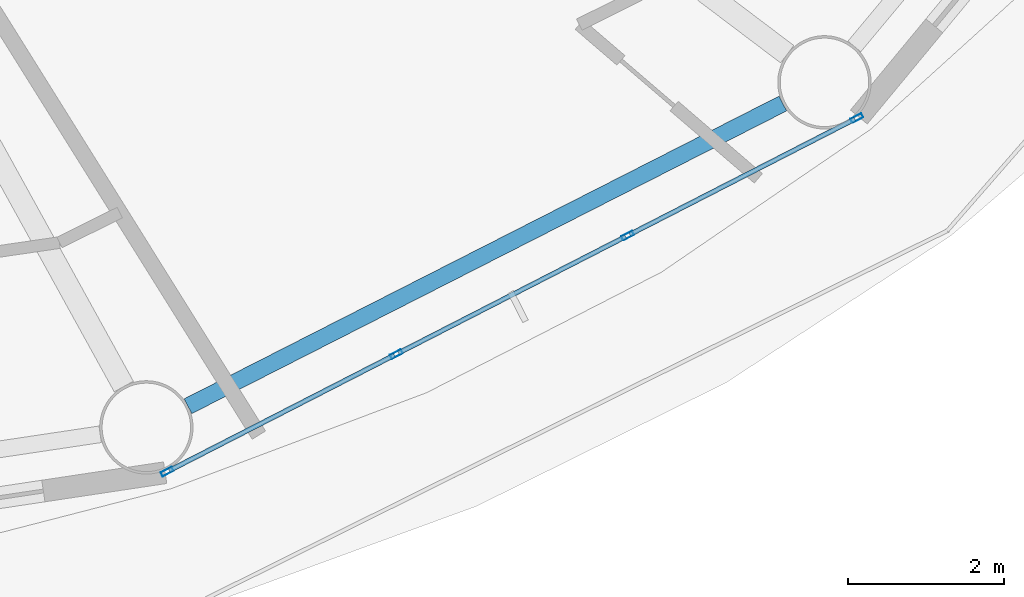
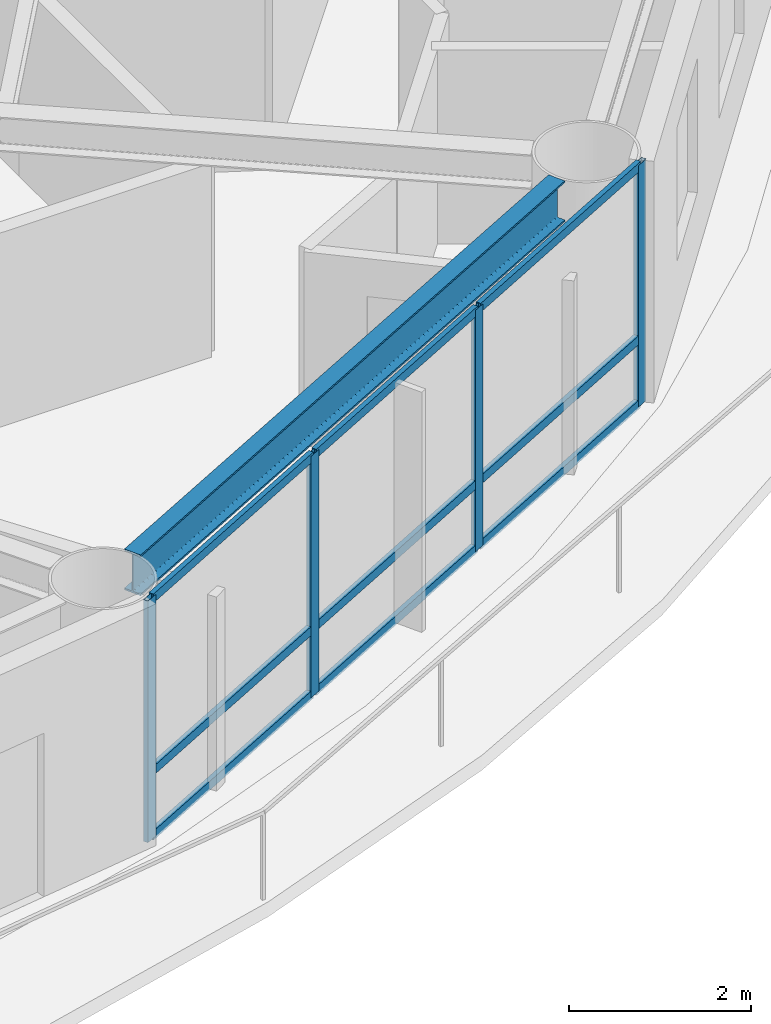
# One storey, part 5 of 28: 13 members, 1 beam, 1 element without a shape of its own.
"""IFC4 building model written with IfcOpenShell, lengths in metres."""

from ifc_helpers import new_model, si_unit, direction, frame, origin, origin_2d, place, context, subcontext, project, spatial, hollow_rectangle, i_section, extrude, material, layer, layer_set, material_profile, profile_set, type_object, element, aggregate, save


model = new_model("IFC4")

# Units and contexts
model_context = context("Model", 3, precision=1e-05, world=origin(), true_north=direction((0.0, 1.0)))
body_context = subcontext(model_context, "Body", "Model", "MODEL_VIEW")
ifc_project = project(units=[si_unit("LENGTHUNIT", "METRE"), si_unit("AREAUNIT", "SQUARE_METRE"), si_unit("VOLUMEUNIT", "CUBIC_METRE"), si_unit("PLANEANGLEUNIT", "RADIAN"), si_unit("MASSUNIT", "GRAM", prefix="KILO")], contexts=[model_context])

# Site, building, storey
site_placement = place(None, origin())
site = spatial("IfcSite", under=ifc_project, at=site_placement, CompositionType="ELEMENT")
building_placement = place(site_placement, origin())
building = spatial("IfcBuilding", under=site, at=building_placement, Name="Sarneth Arch Tower", CompositionType="ELEMENT")
storey_placement = place(building_placement, frame((0.0, 0.0, 197.39990234375)))
storey = spatial("IfcBuildingStorey", under=building, at=storey_placement, Name="L50", CompositionType="ELEMENT", Elevation=197.39990234375)

# Beam
ifc_material_1 = material(Name="Steel S355", Category="steel")
ifc_material_profile_1 = material_profile(ifc_material_1, i_section(OverallWidth=0.214111328125, OverallDepth=0.549072265625, WebThickness=0.0146484375, FlangeThickness=0.023681640625, FilletRadius=0.01806640625, at=origin_2d()), Name="W530x138")
ifc_profile_set_1 = profile_set([ifc_material_profile_1], Name="Steel S355")
beam_type = type_object("IfcBeamType", Name="BM-RAD-530A", PredefinedType="BEAM", material=ifc_profile_set_1)
beam_placement = place(storey_placement, frame((58.95654296875, 23.378662109375, 2.9755859375), z_axis=(0.891250372735, 0.453511601945, 0.0), x_axis=(-0.453511601945, 0.891250372735, 0.0)))
element("IfcBeam", 1, at=beam_placement, inside=storey, type_object=beam_type, Name="L50 Perimeter spandrel beam 14", PredefinedType="BEAM", context=body_context, shape_type="SweptSolid", body=[
    extrude(i_section(OverallWidth=0.214111328125, OverallDepth=0.549072265625, WebThickness=0.0146484375, FlangeThickness=0.023681640625, FilletRadius=0.01806640625, at=origin_2d()), origin(), (0.0, 0.0, 1.0), 8.5751953125),
])

# Curtain wall, members
ifc_material_2 = material(Name="Anodised aluminium Type AA25 and solar-control low-e laminated IGU", Category="aluminium")
ifc_layer = layer(ifc_material_2, 0.169921875)
ifc_layer_set = layer_set([ifc_layer], Name="Anodised aluminium Type AA25 and solar-control low-e laminated IGU")
curtain_wall_type = type_object("IfcCurtainWallType", Name="CW-RES-MID", PredefinedType="NOTDEFINED", material=ifc_layer_set)
curtain_wall_placement = place(storey_placement, origin())
curtain_wall = element("IfcCurtainWall", 2, at=curtain_wall_placement, inside=storey, type_object=curtain_wall_type, Name="L50 Unitised curtain wall facet 14", PredefinedType="NOTDEFINED")
ifc_material_3 = material(Name="Anodised Aluminium 6063-T6", Category="aluminium")
ifc_material_profile_2 = material_profile(ifc_material_3, hollow_rectangle(XDim=0.06005859375, YDim=0.159912109375, WallThickness=0.00390625, at=origin_2d()), Name="AL-MULL-160x60x4")
ifc_profile_set_2 = profile_set([ifc_material_profile_2], Name="Anodised Aluminium 6063-T6")
member_type_1 = type_object("IfcMemberType", Name="CW-MULLION", PredefinedType="MULLION", material=ifc_profile_set_2)
member_1_placement = place(storey_placement, frame((58.689453125, 22.538330078125, 0.0), z_axis=(0.0, 0.0, 1.0), x_axis=(-0.456208470329, 0.88987293003, 0.0)))
member_1 = element("IfcMember", 3, at=member_1_placement, type_object=member_type_1, Name="CW-SYS-5 mullion 1", PredefinedType="MULLION", context=body_context, shape_type="SweptSolid", body=[
    extrude(hollow_rectangle(XDim=0.06005859375, YDim=0.159912109375, WallThickness=0.00390625, at=origin_2d()), origin(), (0.0, 0.0, 1.0), 3.25),
])
member_2_placement = place(storey_placement, frame((61.634033203125, 24.0478515625, 0.0), z_axis=(0.0, 0.0, 1.0), x_axis=(-0.456208470329, 0.88987293003, 0.0)))
member_2 = element("IfcMember", 4, at=member_2_placement, type_object=member_type_1, Name="CW-SYS-5 mullion 2", PredefinedType="MULLION", context=body_context, shape_type="SweptSolid", body=[
    extrude(hollow_rectangle(XDim=0.06005859375, YDim=0.159912109375, WallThickness=0.00390625, at=origin_2d()), origin(), (0.0, 0.0, 1.0), 3.25),
])
member_3_placement = place(storey_placement, frame((64.60498046875, 25.571044921875, 0.0), z_axis=(0.0, 0.0, 1.0), x_axis=(-0.456208470329, 0.88987293003, 0.0)))
member_3 = element("IfcMember", 5, at=member_3_placement, type_object=member_type_1, Name="CW-SYS-5 mullion 3", PredefinedType="MULLION", context=body_context, shape_type="SweptSolid", body=[
    extrude(hollow_rectangle(XDim=0.06005859375, YDim=0.159912109375, WallThickness=0.00390625, at=origin_2d()), origin(), (0.0, 0.0, 1.0), 3.25),
])
member_4_placement = place(storey_placement, frame((67.549560546875, 27.08056640625, 0.0), z_axis=(0.0, 0.0, 1.0), x_axis=(-0.456208470329, 0.88987293003, 0.0)))
member_4 = element("IfcMember", 6, at=member_4_placement, type_object=member_type_1, Name="CW-SYS-5 mullion 4", PredefinedType="MULLION", context=body_context, shape_type="SweptSolid", body=[
    extrude(hollow_rectangle(XDim=0.06005859375, YDim=0.159912109375, WallThickness=0.00390625, at=origin_2d()), origin(), (0.0, 0.0, 1.0), 3.25),
])
ifc_material_4 = material(Name="Anodised Aluminium 6063-T6", Category="aluminium")
ifc_material_profile_3 = material_profile(ifc_material_4, hollow_rectangle(XDim=0.06005859375, YDim=0.1201171875, WallThickness=0.00390625, at=origin_2d()), Name="AL-TRAN-120x60x4")
ifc_profile_set_3 = profile_set([ifc_material_profile_3], Name="Anodised Aluminium 6063-T6")
member_type_2 = type_object("IfcMemberType", Name="CW-TRANSOM", PredefinedType="USERDEFINED", material=ifc_profile_set_3)
member_5_placement = place(storey_placement, frame((58.71630859375, 22.552001953125, 0.030029296875), z_axis=(0.889857362344, 0.456238835131, 0.0), x_axis=(-0.456238835131, 0.889857362344, 0.0)))
member_5 = element("IfcMember", 7, at=member_5_placement, type_object=member_type_2, Name="CW-SYS-5 transom 1.1", ObjectType="TRANSOM", PredefinedType="USERDEFINED", context=body_context, shape_type="SweptSolid", body=[
    extrude(hollow_rectangle(XDim=0.06005859375, YDim=0.1201171875, WallThickness=0.00390625, at=origin_2d()), origin(), (0.0, 0.0, 1.0), 3.248779296875),
])
member_6_placement = place(storey_placement, frame((58.71630859375, 22.552001953125, 0.900146484375), z_axis=(0.889857362344, 0.456238835131, 0.0), x_axis=(-0.456238835131, 0.889857362344, 0.0)))
member_6 = element("IfcMember", 8, at=member_6_placement, type_object=member_type_2, Name="CW-SYS-5 transom 1.2", ObjectType="TRANSOM", PredefinedType="USERDEFINED", context=body_context, shape_type="SweptSolid", body=[
    extrude(hollow_rectangle(XDim=0.06005859375, YDim=0.1201171875, WallThickness=0.00390625, at=origin_2d()), origin(), (0.0, 0.0, 1.0), 3.248779296875),
])
member_7_placement = place(storey_placement, frame((58.71630859375, 22.552001953125, 3.22021484375), z_axis=(0.889857362344, 0.456238835131, 0.0), x_axis=(-0.456238835131, 0.889857362344, 0.0)))
member_7 = element("IfcMember", 9, at=member_7_placement, type_object=member_type_2, Name="CW-SYS-5 transom 1.3", ObjectType="TRANSOM", PredefinedType="USERDEFINED", context=body_context, shape_type="SweptSolid", body=[
    extrude(hollow_rectangle(XDim=0.06005859375, YDim=0.1201171875, WallThickness=0.00390625, at=origin_2d()), origin(), (0.0, 0.0, 1.0), 3.248779296875),
])
member_8_placement = place(storey_placement, frame((61.66064453125, 24.0615234375, 0.030029296875), z_axis=(0.889869396751, 0.45621536222, 0.0), x_axis=(-0.45621536222, 0.889869396751, 0.0)))
member_8 = element("IfcMember", 10, at=member_8_placement, type_object=member_type_2, Name="CW-SYS-5 transom 2.1", ObjectType="TRANSOM", PredefinedType="USERDEFINED", context=body_context, shape_type="SweptSolid", body=[
    extrude(hollow_rectangle(XDim=0.06005859375, YDim=0.1201171875, WallThickness=0.00390625, at=origin_2d()), origin(), (0.0, 0.0, 1.0), 3.27880859375),
])
member_9_placement = place(storey_placement, frame((61.66064453125, 24.0615234375, 0.900146484375), z_axis=(0.889869396751, 0.45621536222, 0.0), x_axis=(-0.45621536222, 0.889869396751, 0.0)))
member_9 = element("IfcMember", 11, at=member_9_placement, type_object=member_type_2, Name="CW-SYS-5 transom 2.2", ObjectType="TRANSOM", PredefinedType="USERDEFINED", context=body_context, shape_type="SweptSolid", body=[
    extrude(hollow_rectangle(XDim=0.06005859375, YDim=0.1201171875, WallThickness=0.00390625, at=origin_2d()), origin(), (0.0, 0.0, 1.0), 3.27880859375),
])
member_10_placement = place(storey_placement, frame((61.66064453125, 24.0615234375, 3.22021484375), z_axis=(0.889869396751, 0.45621536222, 0.0), x_axis=(-0.45621536222, 0.889869396751, 0.0)))
member_10 = element("IfcMember", 12, at=member_10_placement, type_object=member_type_2, Name="CW-SYS-5 transom 2.3", ObjectType="TRANSOM", PredefinedType="USERDEFINED", context=body_context, shape_type="SweptSolid", body=[
    extrude(hollow_rectangle(XDim=0.06005859375, YDim=0.1201171875, WallThickness=0.00390625, at=origin_2d()), origin(), (0.0, 0.0, 1.0), 3.27880859375),
])
member_11_placement = place(storey_placement, frame((64.6318359375, 25.584716796875, 0.030029296875), z_axis=(0.889857362344, 0.456238835131, 0.0), x_axis=(-0.456238835131, 0.889857362344, 0.0)))
member_11 = element("IfcMember", 13, at=member_11_placement, type_object=member_type_2, Name="CW-SYS-5 transom 3.1", ObjectType="TRANSOM", PredefinedType="USERDEFINED", context=body_context, shape_type="SweptSolid", body=[
    extrude(hollow_rectangle(XDim=0.06005859375, YDim=0.1201171875, WallThickness=0.00390625, at=origin_2d()), origin(), (0.0, 0.0, 1.0), 3.248779296875),
])
member_12_placement = place(storey_placement, frame((64.6318359375, 25.584716796875, 0.900146484375), z_axis=(0.889857362344, 0.456238835131, 0.0), x_axis=(-0.456238835131, 0.889857362344, 0.0)))
member_12 = element("IfcMember", 14, at=member_12_placement, type_object=member_type_2, Name="CW-SYS-5 transom 3.2", ObjectType="TRANSOM", PredefinedType="USERDEFINED", context=body_context, shape_type="SweptSolid", body=[
    extrude(hollow_rectangle(XDim=0.06005859375, YDim=0.1201171875, WallThickness=0.00390625, at=origin_2d()), origin(), (0.0, 0.0, 1.0), 3.248779296875),
])
member_13_placement = place(storey_placement, frame((64.6318359375, 25.584716796875, 3.22021484375), z_axis=(0.889857362344, 0.456238835131, 0.0), x_axis=(-0.456238835131, 0.889857362344, 0.0)))
member_13 = element("IfcMember", 15, at=member_13_placement, type_object=member_type_2, Name="CW-SYS-5 transom 3.3", ObjectType="TRANSOM", PredefinedType="USERDEFINED", context=body_context, shape_type="SweptSolid", body=[
    extrude(hollow_rectangle(XDim=0.06005859375, YDim=0.1201171875, WallThickness=0.00390625, at=origin_2d()), origin(), (0.0, 0.0, 1.0), 3.248779296875),
])
aggregate(curtain_wall, [member_1, member_2, member_3, member_4, member_5, member_6, member_7, member_8, member_9, member_10, member_11, member_12, member_13])

save(model, "model.ifc")
